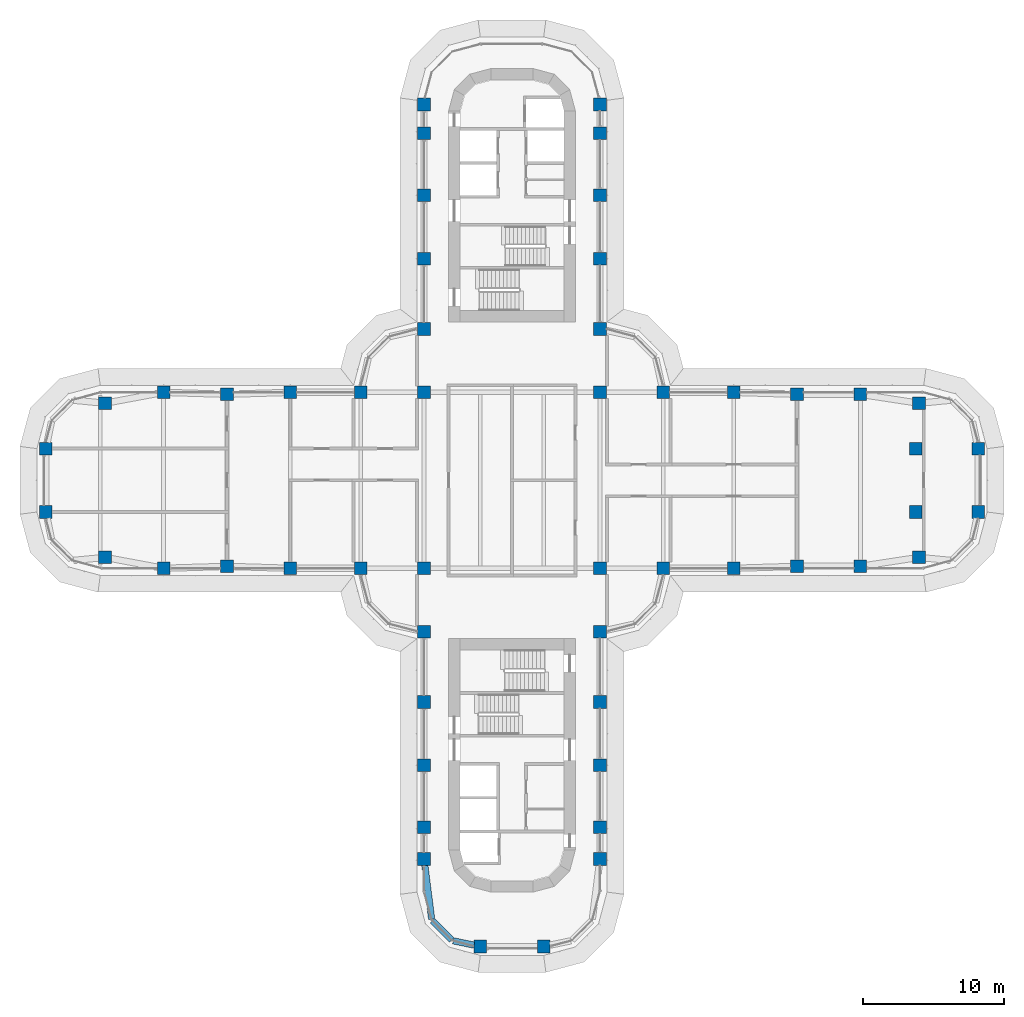
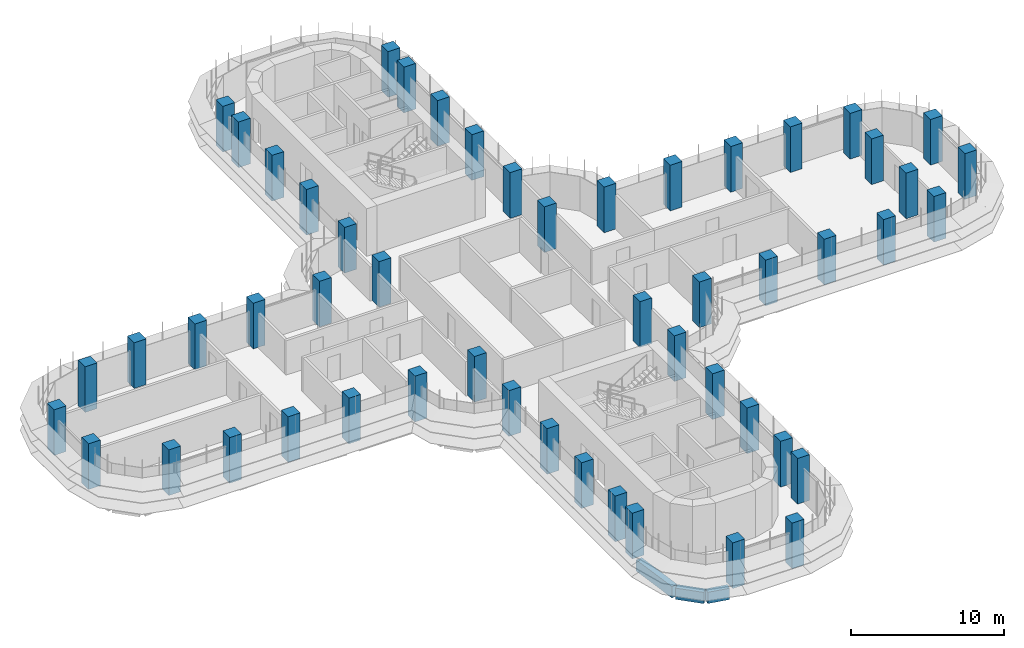
# One storey, part 1 of 22: 52 columns, 3 beams.
"""IFC4 building model written with IfcOpenShell, lengths in metres."""

import ifcopenshell
import ifcopenshell.guid

model = None  # the IFC model being written
_history = None  # IfcOwnerHistory: only IFC2X3 demands one
_inside = {}  # id of a spatial element -> (the spatial element, [elements in it])
_under = {}  # id of a project, library or spatial element -> (it, [spatial elements below it])
_declared = {}  # id of a project -> (the project, [libraries it declares])
_typed = {}  # id of a type object -> (the type object, [elements of that type])
_made_of = {}  # id of a material, layer set ... -> (it, [elements and type objects made of it])


def new_model(schema):
    """Start an empty IFC model of exactly this schema.

    Asked for "IFC4X3", IfcOpenShell would pick the latest addendum, in which some entities
    have other attributes; the version numbers below select the first issue.
    IFC2X3 requires an IfcOwnerHistory on every rooted entity: one is made here for all.
    """
    global model, _history
    if schema == "IFC4X3":
        model = ifcopenshell.file(schema_version=(4, 3, 0, 0))
    else:
        model = ifcopenshell.file(schema=schema)
    _inside.clear()
    _under.clear()
    _declared.clear()
    _typed.clear()
    _made_of.clear()
    _history = None
    if model.schema == "IFC2X3":
        org = make("IfcOrganization", Name="unknown")
        user = make(
            "IfcPersonAndOrganization",
            ThePerson=make("IfcPerson", FamilyName="unknown"),
            TheOrganization=org,
        )
        app = make(
            "IfcApplication",
            ApplicationDeveloper=org,
            Version="unknown",
            ApplicationFullName="unknown",
            ApplicationIdentifier="unknown",
        )
        _history = make(
            "IfcOwnerHistory",
            OwningUser=user,
            OwningApplication=app,
            ChangeAction="ADDED",
            CreationDate=0,
        )
    return model


def make(cls, **values):
    """One entity of the class cls with the attributes given. An attribute that is None is left unset."""
    return model.create_entity(
        cls, **{name: value for name, value in values.items() if value is not None}
    )


def rooted(cls, **values):
    """An entity with a GlobalId (a new one), such as an element, a storey or a relation."""
    return make(cls, GlobalId=ifcopenshell.guid.new(), OwnerHistory=_history, **values)


def si_unit(unit_type, name, prefix=None):
    """IfcSIUnit, for example si_unit("LENGTHUNIT", "METRE", prefix="MILLI")."""
    return make("IfcSIUnit", UnitType=unit_type, Prefix=prefix, Name=name)


def assignment(units):
    """IfcUnitAssignment: the units of a project."""
    return None if units is None else make("IfcUnitAssignment", Units=units)


def point(xyz):
    """IfcCartesianPoint."""
    return None if xyz is None else make("IfcCartesianPoint", Coordinates=xyz)


def direction(xyz):
    """IfcDirection."""
    return None if xyz is None else make("IfcDirection", DirectionRatios=xyz)


def frame(location, z_axis=None, x_axis=None):
    """IfcAxis2Placement3D, a coordinate frame: its origin and axes. An axis left out is left unset."""
    return make(
        "IfcAxis2Placement3D",
        Location=point(location),
        Axis=direction(z_axis),
        RefDirection=direction(x_axis),
    )


def frame_2d(location, x_axis=None):
    """IfcAxis2Placement2D, a coordinate frame in the plane: its origin and x axis."""
    return make(
        "IfcAxis2Placement2D", Location=point(location), RefDirection=direction(x_axis)
    )


def origin():
    """The frame at (0, 0, 0) with its axes left unset."""
    return frame((0.0, 0.0, 0.0))


def origin_2d():
    """The frame at (0, 0) in the plane with its x axis left unset."""
    return frame_2d((0.0, 0.0))


def place(relative_to, where):
    """IfcLocalPlacement: puts the frame where relative to a parent placement (None: the world)."""
    return make(
        "IfcLocalPlacement", PlacementRelTo=relative_to, RelativePlacement=where
    )


def context(
    kind, dimensions, precision=None, world=None, true_north=None, identifier=None
):
    """IfcGeometricRepresentationContext, for example the 3D "Model" context."""
    return make(
        "IfcGeometricRepresentationContext",
        ContextIdentifier=identifier,
        ContextType=kind,
        CoordinateSpaceDimension=dimensions,
        Precision=precision,
        WorldCoordinateSystem=world,
        TrueNorth=true_north,
    )


def subcontext(parent, identifier, kind, view, scale=None):
    """IfcGeometricRepresentationSubContext, for example "Body" below "Model"."""
    return make(
        "IfcGeometricRepresentationSubContext",
        ContextIdentifier=identifier,
        ContextType=kind,
        ParentContext=parent,
        TargetScale=scale,
        TargetView=view,
    )


def project(units=None, contexts=None):
    """IfcProject with its units and contexts."""
    return rooted(
        "IfcProject",
        Name="project",
        RepresentationContexts=contexts,
        UnitsInContext=assignment(units),
    )


def spatial(cls, under=None, at=None, **own):
    """A site, building, storey or space (cls), placed at a placement, below another one or the project."""
    s = rooted(cls, ObjectPlacement=at, **own)
    if under is not None:
        _under.setdefault(under.id(), (under, []))[1].append(s)
    return s


def profile(cls, at=None, kind="AREA", **sizes):
    """A parametric profile (cls). Its sizes go by their IFC names, for example OverallWidth=200.0."""
    return make(cls, ProfileType=kind, Position=at, **sizes)


def rectangle(**sizes):
    """IfcRectangleProfileDef."""
    return profile("IfcRectangleProfileDef", **sizes)


def extrude(swept, where, along, depth):
    """IfcExtrudedAreaSolid: the profile swept, set in the frame where, extruded along a direction by depth."""
    return make(
        "IfcExtrudedAreaSolid",
        SweptArea=swept,
        Position=where,
        ExtrudedDirection=direction(along),
        Depth=depth,
    )


def shape(context_of_items, identifier, shape_type, items):
    """IfcShapeRepresentation: the items that make up one representation, for example the "Body"."""
    return make(
        "IfcShapeRepresentation",
        ContextOfItems=context_of_items,
        RepresentationIdentifier=identifier,
        RepresentationType=shape_type,
        Items=items,
    )


def material(Name=None, Category=None):
    """IfcMaterial."""
    return make("IfcMaterial", Name=Name, Category=Category)


def material_profile(
    of_material, cross_section, Name=None, Category=None, Priority=None
):
    """IfcMaterialProfile: a cross section and its material."""
    return make(
        "IfcMaterialProfile",
        Name=Name,
        Material=of_material,
        Profile=cross_section,
        Priority=Priority,
        Category=Category,
    )


def profile_set(profiles, Name=None, composite=None):
    """IfcMaterialProfileSet."""
    return make(
        "IfcMaterialProfileSet",
        Name=Name,
        MaterialProfiles=profiles,
        CompositeProfile=composite,
    )


def made_of(thing, what):
    """Note that an element or type object is made of a material, layer set ...; save() writes the relation."""
    if what is not None:
        _made_of.setdefault(what.id(), (what, []))[1].append(thing)
    return thing


def type_object(cls, material=None, **own):
    """A type object (cls), such as IfcWallType, which elements share."""
    return made_of(rooted(cls, **own), material)


def element(
    cls,
    number,
    at=None,
    inside=None,
    cuts=None,
    type_object=None,
    material=None,
    context=None,
    identifier="Body",
    shape_type=None,
    held_by="IfcProductDefinitionShape",
    body=None,
    shapes=None,
    **own,
):
    """One element of the class cls, such as IfcWall. Its Tag is "e" and its number.

    at: its placement. inside: the storey or other place that contains it. cuts: it is an
    opening in that element (IfcRelVoidsElement). A single representation is given by context,
    identifier, shape_type and body (its items); several are given by shapes. held_by: the class
    of the entity that holds the representations. save() writes the other relations.
    """
    e = rooted(cls, Tag="e%d" % number, ObjectPlacement=at, **own)
    if body is not None:
        shapes = [shape(context, identifier, shape_type, body)]
    if shapes is not None:
        e.Representation = make(held_by, Representations=shapes)
    if inside is not None:
        _inside.setdefault(inside.id(), (inside, []))[1].append(e)
    if cuts is not None:
        rooted(
            "IfcRelVoidsElement", RelatingBuildingElement=cuts, RelatedOpeningElement=e
        )
    if type_object is not None:
        _typed.setdefault(type_object.id(), (type_object, []))[1].append(e)
    return made_of(e, material)


def aggregate(whole, parts):
    """IfcRelAggregates: a whole, such as a stair, and the parts it consists of."""
    return rooted("IfcRelAggregates", RelatingObject=whole, RelatedObjects=parts)


def save(model, path):
    """Write the relations noted so far, then the file.

    IfcRelAggregates (storeys below a building ...), IfcRelContainedInSpatialStructure (elements
    in a storey), IfcRelDefinesByType, IfcRelAssociatesMaterial and IfcRelDeclares: one each for
    every whole, place, type object, material and project.
    """
    for whole, parts in _under.values():
        aggregate(whole, parts)
    for where, things in _inside.values():
        rooted(
            "IfcRelContainedInSpatialStructure",
            RelatedElements=things,
            RelatingStructure=where,
        )
    for kind, things in _typed.values():
        rooted("IfcRelDefinesByType", RelatedObjects=things, RelatingType=kind)
    for what, things in _made_of.values():
        rooted("IfcRelAssociatesMaterial", RelatedObjects=things, RelatingMaterial=what)
    for by, libraries in _declared.values():
        rooted("IfcRelDeclares", RelatingContext=by, RelatedDefinitions=libraries)
    model.write(path)


model = new_model("IFC4")

# Units and contexts
model_context = context("Model", 3, precision=1e-05, world=origin(), true_north=direction((0.0, 1.0)))
body_context = subcontext(model_context, "Body", "Model", "MODEL_VIEW")
ifc_project = project(units=[si_unit("LENGTHUNIT", "METRE"), si_unit("AREAUNIT", "SQUARE_METRE"), si_unit("VOLUMEUNIT", "CUBIC_METRE"), si_unit("PLANEANGLEUNIT", "RADIAN"), si_unit("MASSUNIT", "GRAM", prefix="KILO")], contexts=[model_context])

# Site, building, storey
site_placement = place(None, origin())
site = spatial("IfcSite", under=ifc_project, at=site_placement, CompositionType="ELEMENT")
building_placement = place(site_placement, origin())
building = spatial("IfcBuilding", under=site, at=building_placement, Name="Zarbagh Exchange Tower", CompositionType="ELEMENT")
storey_placement = place(building_placement, frame((0.0, 0.0, 101.800048828125)))
storey = spatial("IfcBuildingStorey", under=building, at=storey_placement, Name="L23", CompositionType="ELEMENT", Elevation=101.800048828125)

# Columns
ifc_material = material(Name="Concrete C60/75", Category="concrete")
ifc_material_profile_1 = material_profile(ifc_material, rectangle(XDim=0.89990234375, YDim=0.89990234375, at=origin_2d()), Name="RC column 900 x 900 C60/75")
ifc_profile_set_1 = profile_set([ifc_material_profile_1], Name="Concrete C60/75")
column_type = type_object("IfcColumnType", Name="RC column 900 x 900 C60/75", PredefinedType="COLUMN", material=ifc_profile_set_1)
for number, where, z_axis, x_axis, name in (
    (1, (-33.110107421875, -2.25, 0.0), (0.0, 0.0, 1.0), (1.0, 0.0, 0.0), "C3 10/S"),
    (2, (-33.110107421875, 2.25, 0.0), (0.0, 0.0, 1.0), (1.0, 0.0, 0.0), "C3 10/T"),
    (3, (-28.907958984375, -5.47509765625, 0.0), (0.0, 0.0, 1.0), (1.0, 0.0, 0.0), "C3 11/R"),
    (4, (-28.907958984375, 5.47509765625, 0.0), (0.0, 0.0, 1.0), (1.0, 0.0, 0.0), "C3 11/U"),
    (5, (-24.75, -6.25, 0.0), (0.0, 0.0, 1.0), (1.0, 0.0, 0.0), "C3 12/R"),
    (6, (-24.75, 6.25, 0.0), (0.0, 0.0, 1.0), (1.0, 0.0, 0.0), "C3 12/U"),
    (7, (-20.25, -6.110107421875, 0.0), (0.0, 0.0, 1.0), (1.0, 0.0, 0.0), "C3 13/R"),
    (8, (-20.25, 6.110107421875, 0.0), (0.0, 0.0, 1.0), (1.0, 0.0, 0.0), "C3 13/U"),
    (9, (-15.75, -6.25, 0.0), (0.0, 0.0, 1.0), (1.0, 0.0, 0.0), "C3 14/R"),
    (10, (-15.75, 6.25, 0.0), (0.0, 0.0, 1.0), (1.0, 0.0, 0.0), "C3 14/U"),
    (11, (-10.75, -6.25, 0.0), (0.0, 0.0, 1.0), (1.0, 0.0, 0.0), "C3 15/R"),
    (12, (-10.75, 6.25, 0.0), (0.0, 0.0, 1.0), (1.0, 0.0, 0.0), "C3 15/U"),
    (13, (-6.25, -26.89990234375, 0.0), (0.0, 0.0, 1.0), (1.0, 0.0, 0.0), "C3 16/L"),
    (14, (-6.25, -24.64990234375, 0.0), (0.0, 0.0, 1.0), (1.0, 0.0, 0.0), "C3 16/M"),
    (15, (-6.25, -20.25, 0.0), (0.0, 0.0, 1.0), (1.0, 0.0, 0.0), "C3 16/N"),
    (16, (-6.25, -15.75, 0.0), (0.0, 0.0, 1.0), (1.0, 0.0, 0.0), "C3 16/P"),
    (17, (-6.25, -10.75, 0.0), (0.0, 0.0, 1.0), (1.0, 0.0, 0.0), "C3 16/Q"),
    (18, (-6.25, -6.25, 0.0), (0.0, 0.0, 1.0), (1.0, 0.0, 0.0), "C3 16/R"),
    (19, (-6.25, 6.25, 0.0), (0.0, 0.0, 1.0), (1.0, 0.0, 0.0), "C3 16/U"),
    (20, (-6.25, 10.75, 0.0), (0.0, 0.0, 1.0), (1.0, 0.0, 0.0), "C3 16/V"),
    (21, (-6.25, 15.75, 0.0), (0.0, 0.0, 1.0), (1.0, 0.0, 0.0), "C3 16/W"),
    (22, (-6.25, 20.25, 0.0), (0.0, 0.0, 1.0), (1.0, 0.0, 0.0), "C3 16/X"),
    (23, (-6.25, 24.64990234375, 0.0), (0.0, 0.0, 1.0), (1.0, 0.0, 0.0), "C3 16/Y"),
    (24, (-6.25, 26.699951171875, 0.0), (0.0, 0.0, 1.0), (1.0, 0.0, 0.0), "C3 16/Z"),
    (25, (-2.25, -33.110107421875, 0.0), (0.0, 0.0, 1.0), (1.0, 0.0, 0.0), "C3 17/K"),
    (26, (2.25, -33.110107421875, 0.0), (0.0, 0.0, 1.0), (1.0, 0.0, 0.0), "C3 18/K"),
    (27, (6.25, -26.89990234375, 0.0), (0.0, 0.0, 1.0), (1.0, 0.0, 0.0), "C3 19/L"),
    (28, (6.25, -24.64990234375, 0.0), (0.0, 0.0, 1.0), (1.0, 0.0, 0.0), "C3 19/M"),
    (29, (6.25, -20.25, 0.0), (0.0, 0.0, 1.0), (1.0, 0.0, 0.0), "C3 19/N"),
    (30, (6.25, -15.75, 0.0), (0.0, 0.0, 1.0), (1.0, 0.0, 0.0), "C3 19/P"),
    (31, (6.25, -10.75, 0.0), (0.0, 0.0, 1.0), (1.0, 0.0, 0.0), "C3 19/Q"),
    (32, (6.25, -6.25, 0.0), (0.0, 0.0, 1.0), (1.0, 0.0, 0.0), "C3 19/R"),
    (33, (6.25, 6.25, 0.0), (0.0, 0.0, 1.0), (1.0, 0.0, 0.0), "C3 19/U"),
    (34, (6.25, 10.75, 0.0), (0.0, 0.0, 1.0), (1.0, 0.0, 0.0), "C3 19/V"),
    (35, (6.25, 15.75, 0.0), (0.0, 0.0, 1.0), (1.0, 0.0, 0.0), "C3 19/W"),
    (36, (6.25, 20.25, 0.0), (0.0, 0.0, 1.0), (1.0, 0.0, 0.0), "C3 19/X"),
    (37, (6.25, 24.64990234375, 0.0), (0.0, 0.0, 1.0), (1.0, 0.0, 0.0), "C3 19/Y"),
    (38, (6.25, 26.699951171875, 0.0), (0.0, 0.0, 1.0), (1.0, 0.0, 0.0), "C3 19/Z"),
    (39, (10.75, -6.25, 0.0), (0.0, 0.0, 1.0), (1.0, 0.0, 0.0), "C3 20/R"),
    (40, (10.75, 6.25, 0.0), (0.0, 0.0, 1.0), (1.0, 0.0, 0.0), "C3 20/U"),
    (41, (15.75, -6.25, 0.0), (0.0, 0.0, 1.0), (1.0, 0.0, 0.0), "C3 21/R"),
    (42, (15.75, 6.25, 0.0), (0.0, 0.0, 1.0), (1.0, 0.0, 0.0), "C3 21/U"),
    (43, (20.25, -6.110107421875, 0.0), (0.0, 0.0, 1.0), (1.0, 0.0, 0.0), "C3 22/R"),
    (44, (20.25, 6.110107421875, 0.0), (0.0, 0.0, 1.0), (1.0, 0.0, 0.0), "C3 22/U"),
    (45, (24.75, -6.110107421875, 0.0), (0.0, 0.0, 1.0), (1.0, 0.0, 0.0), "C3 23/R"),
    (46, (24.75, 6.110107421875, 0.0), (0.0, 0.0, 1.0), (1.0, 0.0, 0.0), "C3 23/U"),
    (47, (28.907958984375, -5.47509765625, 0.0), (0.0, 0.0, 1.0), (1.0, 0.0, 0.0), "C3 24/R"),
    (48, (28.669921875, -2.25, 0.0), (0.0, 0.0, 1.0), (1.0, 0.0, 0.0), "C3 24/S"),
    (49, (28.669921875, 2.25, 0.0), (0.0, 0.0, 1.0), (1.0, 0.0, 0.0), "C3 24/T"),
    (50, (28.907958984375, 5.47509765625, 0.0), (0.0, 0.0, 1.0), (1.0, 0.0, 0.0), "C3 24/U"),
    (51, (33.110107421875, -2.25, 0.0), (0.0, 0.0, 1.0), (1.0, 0.0, 0.0), "C3 25/S"),
    (52, (33.110107421875, 2.25, 0.0), (0.0, 0.0, 1.0), (1.0, 0.0, 0.0), "C3 25/T"),
):
    element("IfcColumn", number, at=place(storey_placement, frame(where, z_axis=z_axis, x_axis=x_axis)), inside=storey, type_object=column_type, Name=name, PredefinedType="COLUMN", context=body_context, shape_type="SweptSolid", body=[
        extrude(rectangle(XDim=0.89990234375, YDim=0.89990234375, at=origin_2d()), origin(), (0.0, 0.0, 1.0), 3.64990234375),
    ])

# Beams
ifc_material_profile_2 = material_profile(ifc_material, rectangle(XDim=0.449951171875, YDim=0.89990234375, at=origin_2d()), Name="RC spandrel beam 450 x 900 C60/75")
ifc_profile_set_2 = profile_set([ifc_material_profile_2], Name="Concrete C60/75")
beam_type = type_object("IfcBeamType", Name="RC spandrel beam 450 x 900 C60/75", PredefinedType="SPANDREL", material=ifc_profile_set_2)
beam_1_placement = place(storey_placement, frame((-2.690673828125, -33.01904296875, -0.60009765625), z_axis=(-0.979328675816, 0.202275417995, 0.0), x_axis=(-0.202275417995, -0.979328675816, 0.0)))
element("IfcBeam", 53, at=beam_1_placement, inside=storey, type_object=beam_type, Name="RC spandrel beam", PredefinedType="SPANDREL", context=body_context, shape_type="SweptSolid", body=[
    extrude(rectangle(XDim=0.449951171875, YDim=0.89990234375, at=origin_2d()), origin(), (0.0, 0.0, 1.0), 1.515869140625),
])
beam_2_placement = place(storey_placement, frame((-4.288818359375, -32.651123046875, -0.60009765625), z_axis=(-0.707106781187, 0.707106781187, 0.0), x_axis=(-0.707106781187, -0.707106781187, 0.0)))
element("IfcBeam", 54, at=beam_2_placement, inside=storey, type_object=beam_type, Name="RC spandrel beam", PredefinedType="SPANDREL", context=body_context, shape_type="SweptSolid", body=[
    extrude(rectangle(XDim=0.449951171875, YDim=0.89990234375, at=origin_2d()), origin(), (0.0, 0.0, 1.0), 1.9169921875),
])
beam_3_placement = place(storey_placement, frame((-5.70849609375, -31.164794921875, -0.60009765625), z_axis=(-0.12597055537, 0.992033980859, 0.0), x_axis=(-0.992033980859, -0.12597055537, 0.0)))
element("IfcBeam", 55, at=beam_3_placement, inside=storey, type_object=beam_type, Name="RC spandrel beam", PredefinedType="SPANDREL", context=body_context, shape_type="SweptSolid", body=[
    extrude(rectangle(XDim=0.449951171875, YDim=0.89990234375, at=origin_2d()), origin(), (0.0, 0.0, 1.0), 3.84912109375),
])

save(model, "model.ifc")
